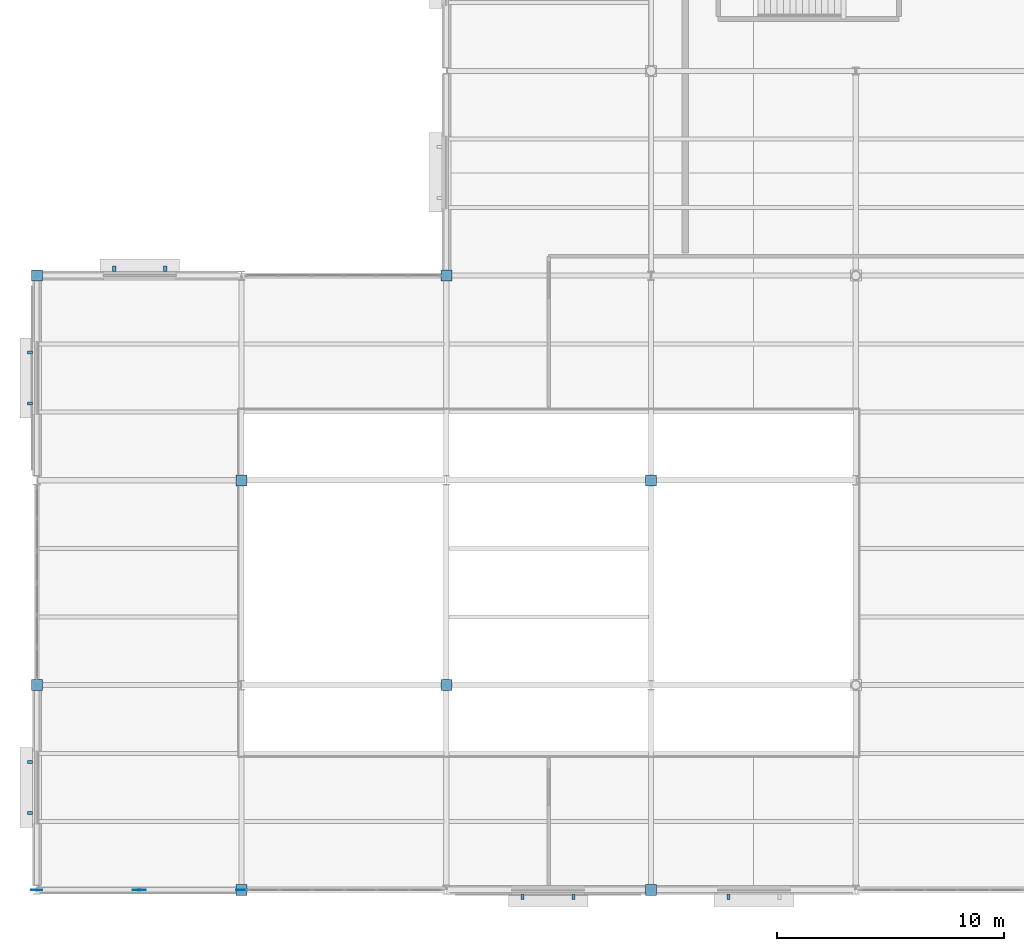
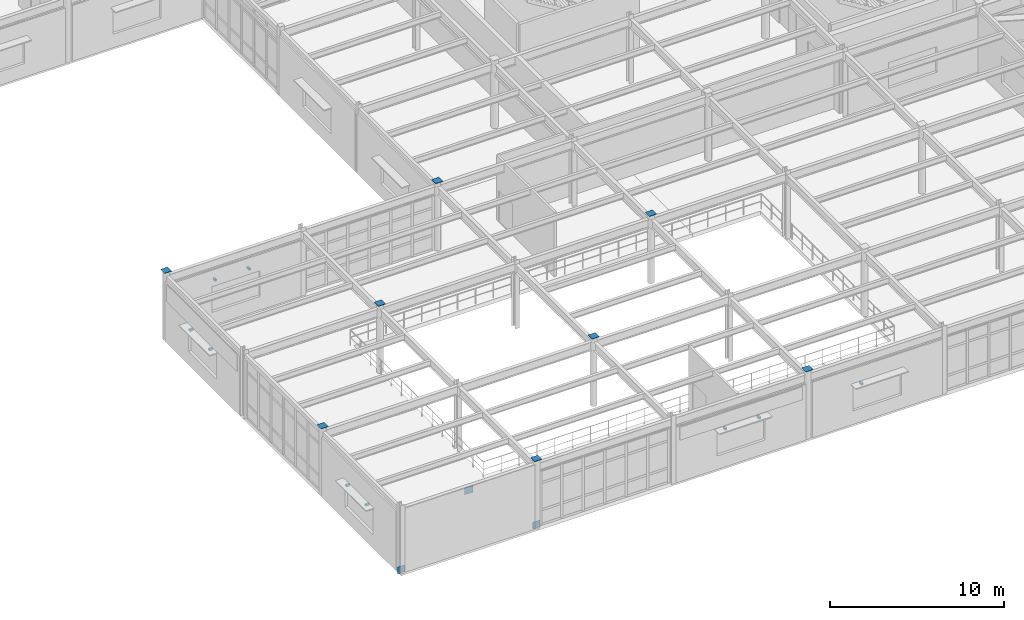
# One storey, part 69 of 86: 20 discrete accessories.
"""IFC4 building model written with IfcOpenShell, lengths in metres."""

from ifc_helpers import new_model, si_unit, direction, frame, origin, origin_2d, place, context, subcontext, project, spatial, rectangle, extrude, material, type_object, element, save


model = new_model("IFC4")

# Units and contexts
model_context = context("Model", 3, precision=1e-05, world=origin(), true_north=direction((0.0, 1.0)))
body_context = subcontext(model_context, "Body", "Model", "MODEL_VIEW")
ifc_project = project(units=[si_unit("LENGTHUNIT", "METRE"), si_unit("AREAUNIT", "SQUARE_METRE"), si_unit("VOLUMEUNIT", "CUBIC_METRE"), si_unit("PLANEANGLEUNIT", "RADIAN"), si_unit("MASSUNIT", "GRAM", prefix="KILO")], contexts=[model_context])

# Site, building, storey
site_placement = place(None, origin())
site = spatial("IfcSite", under=ifc_project, at=site_placement, CompositionType="ELEMENT")
building_placement = place(site_placement, origin())
building = spatial("IfcBuilding", under=site, at=building_placement, Name="Glasvene Arena", CompositionType="ELEMENT")
storey_placement = place(building_placement, frame((0.0, 0.0, 5.39990234375)))
storey = spatial("IfcBuildingStorey", under=building, at=storey_placement, Name="L01", CompositionType="ELEMENT", Elevation=5.39990234375)

# Discrete accessories
ifc_material_1 = material(Name="Steel S355J2", Category="steel")
discrete_accessory_type_1 = type_object("IfcDiscreteAccessoryType", Name="ACC-BRACE-GP20", PredefinedType="BRACKET", material=ifc_material_1)
for number, where, z_axis, x_axis, name in (
    (1, (0.0, 0.0, -0.06982421875), (0.0, 0.0, 1.0), (1.0, 0.0, 0.0), "Chevron brace base gusset plate L01-039-A"),
    (2, (9.0, 0.0, -0.06982421875), (0.0, 0.0, 1.0), (1.0, 0.0, 0.0), "Chevron brace base gusset plate L01-040-B"),
):
    element("IfcDiscreteAccessory", number, at=place(storey_placement, frame(where, z_axis=z_axis, x_axis=x_axis)), inside=storey, type_object=discrete_accessory_type_1, Name=name, PredefinedType="BRACKET", context=body_context, shape_type="SweptSolid", body=[
        extrude(rectangle(XDim=0.47998046875, YDim=0.02001953125, at=origin_2d()), origin(), (0.0, 0.0, 1.0), 0.47998046875),
    ])
discrete_accessory_placement = place(storey_placement, frame((4.5, 0.0, 3.93017578125), z_axis=(0.0, 0.0, 1.0), x_axis=(1.0, 0.0, 0.0)))
element("IfcDiscreteAccessory", 3, at=discrete_accessory_placement, inside=storey, type_object=discrete_accessory_type_1, Name="Chevron brace apex gusset plate L01-040", PredefinedType="BRACKET", context=body_context, shape_type="SweptSolid", body=[
    extrude(rectangle(XDim=0.56005859375, YDim=0.02001953125, at=origin_2d()), origin(), (0.0, 0.0, 1.0), 0.47998046875),
])
discrete_accessory_type_2 = type_object("IfcDiscreteAccessoryType", Name="ACC-CAP-CHS420", PredefinedType="USERDEFINED", material=ifc_material_1)
for number, where, z_axis, x_axis, name in (
    (4, (0.0, 9.0, 4.798095703125), (0.0, 0.0, 1.0), (1.0, 0.0, 0.0), "Hollow column top cap plate 1-2 L01"),
    (5, (0.0, 27.0, 4.798095703125), (0.0, 0.0, 1.0), (1.0, 0.0, 0.0), "Hollow column top cap plate 1-4 L01"),
    (6, (9.0, 0.0, 4.798095703125), (0.0, 0.0, 1.0), (1.0, 0.0, 0.0), "Hollow column top cap plate 2-1 L01"),
    (7, (9.0, 18.0, 4.798095703125), (0.0, 0.0, 1.0), (1.0, 0.0, 0.0), "Hollow column top cap plate 2-3 L01"),
    (8, (18.0, 9.0, 4.798095703125), (0.0, 0.0, 1.0), (1.0, 0.0, 0.0), "Hollow column top cap plate 3-2 L01"),
    (9, (18.0, 27.0, 4.798095703125), (0.0, 0.0, 1.0), (1.0, 0.0, 0.0), "Hollow column top cap plate 3-4 L01"),
    (10, (27.0, 0.0, 4.798095703125), (0.0, 0.0, 1.0), (1.0, 0.0, 0.0), "Hollow column top cap plate 4-1 L01"),
    (11, (27.0, 18.0, 4.798095703125), (0.0, 0.0, 1.0), (1.0, 0.0, 0.0), "Hollow column top cap plate 4-3 L01"),
):
    element("IfcDiscreteAccessory", number, at=place(storey_placement, frame(where, z_axis=z_axis, x_axis=x_axis)), inside=storey, type_object=discrete_accessory_type_2, Name=name, ObjectType="CAP PLATE", PredefinedType="USERDEFINED", context=body_context, shape_type="SweptSolid", body=[
        extrude(rectangle(XDim=0.47998046875, YDim=0.47998046875, at=origin_2d()), origin(), (0.0, 0.0, 1.0), 0.02001953125),
    ])
ifc_material_2 = material(Name="Warm bronze architectural aluminium", Category="aluminium")
discrete_accessory_type_3 = type_object("IfcDiscreteAccessoryType", Name="ACC-FIN-BRK", PredefinedType="BRACKET", material=ifc_material_2)
for number, where, z_axis, x_axis, name in (
    (12, (30.406494140625, -0.300048828125, 2.72021484375), (0.0, 0.0, 1.0), (-1.0, 0.0, 0.0), "Brise-soleil wall bracket BK-031"),
    (13, (23.593505859375, -0.300048828125, 2.72021484375), (0.0, 0.0, 1.0), (-1.0, 0.0, 0.0), "Brise-soleil wall bracket BK-032"),
    (14, (21.353515625, -0.300048828125, 2.72021484375), (0.0, 0.0, 1.0), (-1.0, 0.0, 0.0), "Brise-soleil wall bracket BK-032"),
    (15, (-0.300048828125, 3.37841796875, 2.72021484375), (0.0, 0.0, 1.0), (0.0, 1.0, 0.0), "Brise-soleil wall bracket BK-033"),
    (16, (-0.300048828125, 5.618408203125, 2.72021484375), (0.0, 0.0, 1.0), (0.0, 1.0, 0.0), "Brise-soleil wall bracket BK-033"),
    (17, (-0.300048828125, 21.37841796875, 2.72021484375), (0.0, 0.0, 1.0), (0.0, 1.0, 0.0), "Brise-soleil wall bracket BK-034"),
    (18, (-0.300048828125, 23.618408203125, 2.72021484375), (0.0, 0.0, 1.0), (0.0, 1.0, 0.0), "Brise-soleil wall bracket BK-034"),
    (19, (3.406494140625, 27.300048828125, 2.72021484375), (0.0, 0.0, 1.0), (1.0, 0.0, 0.0), "Brise-soleil wall bracket BK-035"),
    (20, (5.646484375, 27.300048828125, 2.72021484375), (0.0, 0.0, 1.0), (1.0, 0.0, 0.0), "Brise-soleil wall bracket BK-035"),
):
    element("IfcDiscreteAccessory", number, at=place(storey_placement, frame(where, z_axis=z_axis, x_axis=x_axis)), inside=storey, type_object=discrete_accessory_type_3, Name=name, PredefinedType="BRACKET", context=body_context, shape_type="SweptSolid", body=[
        extrude(rectangle(XDim=0.139892578125, YDim=0.239990234375, at=origin_2d()), origin(), (0.0, 0.0, 1.0), 0.139892578125),
    ])

save(model, "model.ifc")
